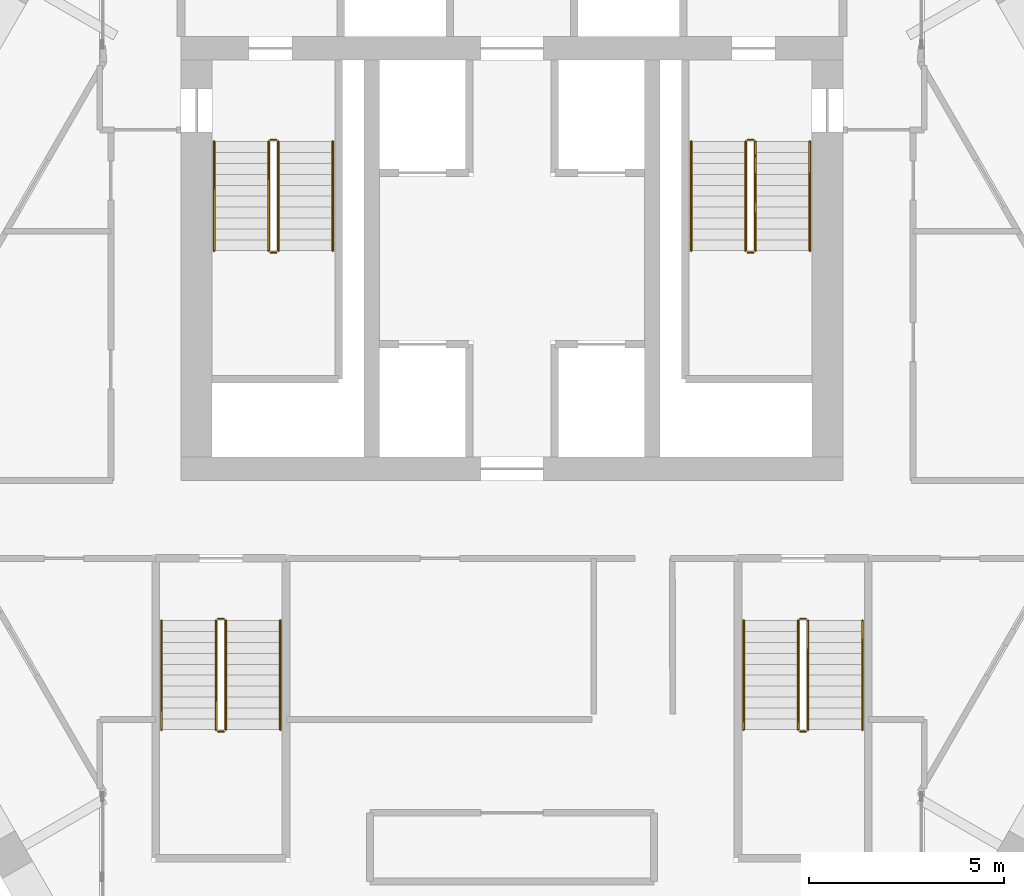
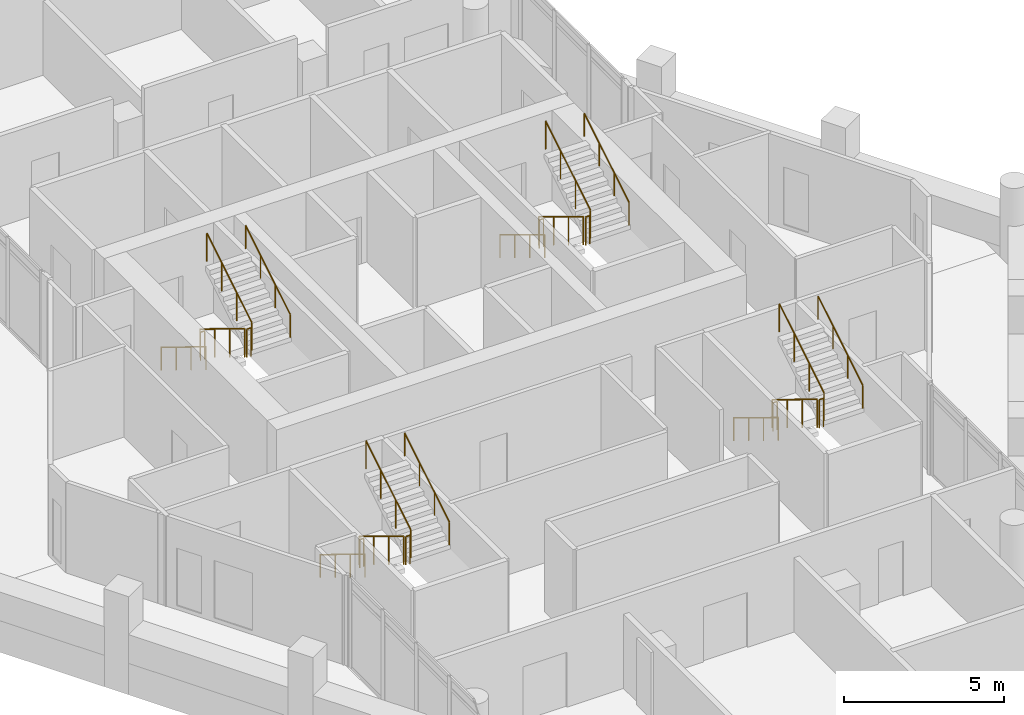
# One storey, part 25 of 25: 24 railings.
"""IFC4 building model written with IfcOpenShell, lengths in metres."""

from ifc_helpers import new_model, si_unit, direction, frame, origin, origin_2d, place, context, subcontext, project, spatial, circle, extrude, material, type_object, element, save


model = new_model("IFC4")

# Units and contexts
model_context = context("Model", 3, precision=1e-05, world=origin(), true_north=direction((0.0, 1.0)))
body_context = subcontext(model_context, "Body", "Model", "MODEL_VIEW")
ifc_project = project(units=[si_unit("LENGTHUNIT", "METRE"), si_unit("AREAUNIT", "SQUARE_METRE"), si_unit("VOLUMEUNIT", "CUBIC_METRE"), si_unit("PLANEANGLEUNIT", "RADIAN"), si_unit("MASSUNIT", "GRAM", prefix="KILO")], contexts=[model_context])

# Site, building, storey
site_placement = place(None, origin())
site = spatial("IfcSite", under=ifc_project, at=site_placement, CompositionType="ELEMENT")
building_placement = place(site_placement, origin())
building = spatial("IfcBuilding", under=site, at=building_placement, Name="Ostrander Bayou Hotel Tower", CompositionType="ELEMENT")
storey_placement = place(building_placement, frame((0.0, 0.0, 229.5)))
storey = spatial("IfcBuildingStorey", under=building, at=storey_placement, Name="L57", CompositionType="ELEMENT", Elevation=229.5)

# Railings
ifc_material_1 = material(Name="Steel ASTM A500 Gr C", Category="steel")
railing_type_1 = type_object("IfcRailingType", Name="GR1 stair guard 1100 mm steel", PredefinedType="GUARDRAIL", material=ifc_material_1)
railing_1_placement = place(storey_placement, frame((-6.25, 7.0, 0.17041015625)))
element("IfcRailing", 1, at=railing_1_placement, inside=storey, type_object=railing_type_1, Name="L57 STA stair guard 1", PredefinedType="GUARDRAIL", context=body_context, shape_type="SweptSolid", body=[
    extrude(circle(Radius=0.02392578125, at=origin_2d()), frame((0.0, 0.0, 1.076171875), z_axis=(0.0, -0.854169791009, 0.51999420009), x_axis=(1.0, 0.0, 0.0)), (0.0, 0.0, 1.0), 3.278076171875),
    extrude(circle(Radius=0.02099609375, at=origin_2d()), origin(), (0.0, 0.0, 1.0), 1.052001953125),
    extrude(circle(Radius=0.02099609375, at=origin_2d()), frame((0.0, -0.933349609375, 0.568115234375)), (0.0, 0.0, 1.0), 1.052001953125),
    extrude(circle(Radius=0.02099609375, at=origin_2d()), frame((0.0, -1.86669921875, 1.136474609375)), (0.0, 0.0, 1.0), 1.052001953125),
    extrude(circle(Radius=0.02099609375, at=origin_2d()), frame((0.0, -2.800048828125, 1.70458984375)), (0.0, 0.0, 1.0), 1.052001953125),
])
railing_2_placement = place(storey_placement, frame((-6.199951171875, 4.14990234375, 1.875)))
element("IfcRailing", 2, at=railing_2_placement, inside=storey, type_object=railing_type_1, Name="L57 STA stair guard 2", PredefinedType="GUARDRAIL", context=body_context, shape_type="SweptSolid", body=[
    extrude(circle(Radius=0.02392578125, at=origin_2d()), frame((0.0, 0.0, 1.076171875), z_axis=(1.0, 0.0, 0.0), x_axis=(0.0, 1.0, 0.0)), (0.0, 0.0, 1.0), 0.14990234375),
    extrude(circle(Radius=0.02099609375, at=origin_2d()), origin(), (0.0, 0.0, 1.0), 1.052001953125),
    extrude(circle(Radius=0.02099609375, at=origin_2d()), frame((0.14990234375, 0.0, 0.0)), (0.0, 0.0, 1.0), 1.052001953125),
])
railing_3_placement = place(storey_placement, frame((-6.0, 4.199951171875, 2.04541015625)))
element("IfcRailing", 3, at=railing_3_placement, inside=storey, type_object=railing_type_1, Name="L57 STA stair guard 3", PredefinedType="GUARDRAIL", context=body_context, shape_type="SweptSolid", body=[
    extrude(circle(Radius=0.02392578125, at=origin_2d()), frame((0.0, 0.0, 1.076171875), z_axis=(0.0, 0.854169791009, 0.51999420009), x_axis=(-1.0, 0.0, 0.0)), (0.0, 0.0, 1.0), 3.278076171875),
    extrude(circle(Radius=0.02099609375, at=origin_2d()), origin(), (0.0, 0.0, 1.0), 1.052001953125),
    extrude(circle(Radius=0.02099609375, at=origin_2d()), frame((0.0, 0.933349609375, 0.568115234375)), (0.0, 0.0, 1.0), 1.052001953125),
    extrude(circle(Radius=0.02099609375, at=origin_2d()), frame((0.0, 1.86669921875, 1.136474609375)), (0.0, 0.0, 1.0), 1.052001953125),
    extrude(circle(Radius=0.02099609375, at=origin_2d()), frame((0.0, 2.800048828125, 1.70458984375)), (0.0, 0.0, 1.0), 1.052001953125),
])
railing_4_placement = place(storey_placement, frame((-6.199951171875, 7.050048828125, 0.0)))
element("IfcRailing", 4, at=railing_4_placement, inside=storey, type_object=railing_type_1, Name="L57 STA stair guard 4", PredefinedType="GUARDRAIL", context=body_context, shape_type="SweptSolid", body=[
    extrude(circle(Radius=0.02392578125, at=origin_2d()), frame((0.0, 0.0, 1.076171875), z_axis=(1.0, 0.0, 0.0), x_axis=(0.0, 1.0, 0.0)), (0.0, 0.0, 1.0), 0.14990234375),
    extrude(circle(Radius=0.02099609375, at=origin_2d()), origin(), (0.0, 0.0, 1.0), 1.052001953125),
    extrude(circle(Radius=0.02099609375, at=origin_2d()), frame((0.14990234375, 0.0, 0.0)), (0.0, 0.0, 1.0), 1.052001953125),
])
railing_5_placement = place(storey_placement, frame((6.0, 7.0, 0.17041015625)))
element("IfcRailing", 5, at=railing_5_placement, inside=storey, type_object=railing_type_1, Name="L57 STB stair guard 1", PredefinedType="GUARDRAIL", context=body_context, shape_type="SweptSolid", body=[
    extrude(circle(Radius=0.02392578125, at=origin_2d()), frame((0.0, 0.0, 1.076171875), z_axis=(0.0, -0.854169791009, 0.51999420009), x_axis=(1.0, 0.0, 0.0)), (0.0, 0.0, 1.0), 3.278076171875),
    extrude(circle(Radius=0.02099609375, at=origin_2d()), origin(), (0.0, 0.0, 1.0), 1.052001953125),
    extrude(circle(Radius=0.02099609375, at=origin_2d()), frame((0.0, -0.933349609375, 0.568115234375)), (0.0, 0.0, 1.0), 1.052001953125),
    extrude(circle(Radius=0.02099609375, at=origin_2d()), frame((0.0, -1.86669921875, 1.136474609375)), (0.0, 0.0, 1.0), 1.052001953125),
    extrude(circle(Radius=0.02099609375, at=origin_2d()), frame((0.0, -2.800048828125, 1.70458984375)), (0.0, 0.0, 1.0), 1.052001953125),
])
railing_6_placement = place(storey_placement, frame((6.050048828125, 4.14990234375, 1.875)))
element("IfcRailing", 6, at=railing_6_placement, inside=storey, type_object=railing_type_1, Name="L57 STB stair guard 2", PredefinedType="GUARDRAIL", context=body_context, shape_type="SweptSolid", body=[
    extrude(circle(Radius=0.02392578125, at=origin_2d()), frame((0.0, 0.0, 1.076171875), z_axis=(1.0, 0.0, 0.0), x_axis=(0.0, 1.0, 0.0)), (0.0, 0.0, 1.0), 0.14990234375),
    extrude(circle(Radius=0.02099609375, at=origin_2d()), origin(), (0.0, 0.0, 1.0), 1.052001953125),
    extrude(circle(Radius=0.02099609375, at=origin_2d()), frame((0.14990234375, 0.0, 0.0)), (0.0, 0.0, 1.0), 1.052001953125),
])
railing_7_placement = place(storey_placement, frame((6.25, 4.199951171875, 2.04541015625)))
element("IfcRailing", 7, at=railing_7_placement, inside=storey, type_object=railing_type_1, Name="L57 STB stair guard 3", PredefinedType="GUARDRAIL", context=body_context, shape_type="SweptSolid", body=[
    extrude(circle(Radius=0.02392578125, at=origin_2d()), frame((0.0, 0.0, 1.076171875), z_axis=(0.0, 0.854169791009, 0.51999420009), x_axis=(-1.0, 0.0, 0.0)), (0.0, 0.0, 1.0), 3.278076171875),
    extrude(circle(Radius=0.02099609375, at=origin_2d()), origin(), (0.0, 0.0, 1.0), 1.052001953125),
    extrude(circle(Radius=0.02099609375, at=origin_2d()), frame((0.0, 0.933349609375, 0.568115234375)), (0.0, 0.0, 1.0), 1.052001953125),
    extrude(circle(Radius=0.02099609375, at=origin_2d()), frame((0.0, 1.86669921875, 1.136474609375)), (0.0, 0.0, 1.0), 1.052001953125),
    extrude(circle(Radius=0.02099609375, at=origin_2d()), frame((0.0, 2.800048828125, 1.70458984375)), (0.0, 0.0, 1.0), 1.052001953125),
])
railing_8_placement = place(storey_placement, frame((6.050048828125, 7.050048828125, 0.0)))
element("IfcRailing", 8, at=railing_8_placement, inside=storey, type_object=railing_type_1, Name="L57 STB stair guard 4", PredefinedType="GUARDRAIL", context=body_context, shape_type="SweptSolid", body=[
    extrude(circle(Radius=0.02392578125, at=origin_2d()), frame((0.0, 0.0, 1.076171875), z_axis=(1.0, 0.0, 0.0), x_axis=(0.0, 1.0, 0.0)), (0.0, 0.0, 1.0), 0.14990234375),
    extrude(circle(Radius=0.02099609375, at=origin_2d()), origin(), (0.0, 0.0, 1.0), 1.052001953125),
    extrude(circle(Radius=0.02099609375, at=origin_2d()), frame((0.14990234375, 0.0, 0.0)), (0.0, 0.0, 1.0), 1.052001953125),
])
railing_9_placement = place(storey_placement, frame((7.35009765625, -5.300048828125, 0.17041015625)))
element("IfcRailing", 9, at=railing_9_placement, inside=storey, type_object=railing_type_1, Name="L57 STC stair guard 1", PredefinedType="GUARDRAIL", context=body_context, shape_type="SweptSolid", body=[
    extrude(circle(Radius=0.02392578125, at=origin_2d()), frame((0.0, 0.0, 1.076171875), z_axis=(0.0, -0.854169791009, 0.51999420009), x_axis=(1.0, 0.0, 0.0)), (0.0, 0.0, 1.0), 3.278076171875),
    extrude(circle(Radius=0.02099609375, at=origin_2d()), origin(), (0.0, 0.0, 1.0), 1.052001953125),
    extrude(circle(Radius=0.02099609375, at=origin_2d()), frame((0.0, -0.933349609375, 0.568115234375)), (0.0, 0.0, 1.0), 1.052001953125),
    extrude(circle(Radius=0.02099609375, at=origin_2d()), frame((0.0, -1.86669921875, 1.136474609375)), (0.0, 0.0, 1.0), 1.052001953125),
    extrude(circle(Radius=0.02099609375, at=origin_2d()), frame((0.0, -2.800048828125, 1.70458984375)), (0.0, 0.0, 1.0), 1.052001953125),
])
railing_10_placement = place(storey_placement, frame((7.39990234375, -8.14990234375, 1.875)))
element("IfcRailing", 10, at=railing_10_placement, inside=storey, type_object=railing_type_1, Name="L57 STC stair guard 2", PredefinedType="GUARDRAIL", context=body_context, shape_type="SweptSolid", body=[
    extrude(circle(Radius=0.02392578125, at=origin_2d()), frame((0.0, 0.0, 1.076171875), z_axis=(1.0, 0.0, 0.0), x_axis=(0.0, 1.0, 0.0)), (0.0, 0.0, 1.0), 0.150146484375),
    extrude(circle(Radius=0.02099609375, at=origin_2d()), origin(), (0.0, 0.0, 1.0), 1.052001953125),
    extrude(circle(Radius=0.02099609375, at=origin_2d()), frame((0.150146484375, 0.0, 0.0)), (0.0, 0.0, 1.0), 1.052001953125),
])
railing_11_placement = place(storey_placement, frame((7.60009765625, -8.10009765625, 2.04541015625)))
element("IfcRailing", 11, at=railing_11_placement, inside=storey, type_object=railing_type_1, Name="L57 STC stair guard 3", PredefinedType="GUARDRAIL", context=body_context, shape_type="SweptSolid", body=[
    extrude(circle(Radius=0.02392578125, at=origin_2d()), frame((0.0, 0.0, 1.076171875), z_axis=(0.0, 0.854169791009, 0.51999420009), x_axis=(-1.0, 0.0, 0.0)), (0.0, 0.0, 1.0), 3.278076171875),
    extrude(circle(Radius=0.02099609375, at=origin_2d()), origin(), (0.0, 0.0, 1.0), 1.052001953125),
    extrude(circle(Radius=0.02099609375, at=origin_2d()), frame((0.0, 0.933349609375, 0.568115234375)), (0.0, 0.0, 1.0), 1.052001953125),
    extrude(circle(Radius=0.02099609375, at=origin_2d()), frame((0.0, 1.86669921875, 1.136474609375)), (0.0, 0.0, 1.0), 1.052001953125),
    extrude(circle(Radius=0.02099609375, at=origin_2d()), frame((0.0, 2.800048828125, 1.70458984375)), (0.0, 0.0, 1.0), 1.052001953125),
])
railing_12_placement = place(storey_placement, frame((7.39990234375, -5.25, 0.0)))
element("IfcRailing", 12, at=railing_12_placement, inside=storey, type_object=railing_type_1, Name="L57 STC stair guard 4", PredefinedType="GUARDRAIL", context=body_context, shape_type="SweptSolid", body=[
    extrude(circle(Radius=0.02392578125, at=origin_2d()), frame((0.0, 0.0, 1.076171875), z_axis=(1.0, 0.0, 0.0), x_axis=(0.0, 1.0, 0.0)), (0.0, 0.0, 1.0), 0.150146484375),
    extrude(circle(Radius=0.02099609375, at=origin_2d()), origin(), (0.0, 0.0, 1.0), 1.052001953125),
    extrude(circle(Radius=0.02099609375, at=origin_2d()), frame((0.150146484375, 0.0, 0.0)), (0.0, 0.0, 1.0), 1.052001953125),
])
railing_13_placement = place(storey_placement, frame((-7.60009765625, -5.300048828125, 0.17041015625)))
element("IfcRailing", 13, at=railing_13_placement, inside=storey, type_object=railing_type_1, Name="L57 STD stair guard 1", PredefinedType="GUARDRAIL", context=body_context, shape_type="SweptSolid", body=[
    extrude(circle(Radius=0.02392578125, at=origin_2d()), frame((0.0, 0.0, 1.076171875), z_axis=(0.0, -0.854169791009, 0.51999420009), x_axis=(1.0, 0.0, 0.0)), (0.0, 0.0, 1.0), 3.278076171875),
    extrude(circle(Radius=0.02099609375, at=origin_2d()), origin(), (0.0, 0.0, 1.0), 1.052001953125),
    extrude(circle(Radius=0.02099609375, at=origin_2d()), frame((0.0, -0.933349609375, 0.568115234375)), (0.0, 0.0, 1.0), 1.052001953125),
    extrude(circle(Radius=0.02099609375, at=origin_2d()), frame((0.0, -1.86669921875, 1.136474609375)), (0.0, 0.0, 1.0), 1.052001953125),
    extrude(circle(Radius=0.02099609375, at=origin_2d()), frame((0.0, -2.800048828125, 1.70458984375)), (0.0, 0.0, 1.0), 1.052001953125),
])
railing_14_placement = place(storey_placement, frame((-7.550048828125, -8.14990234375, 1.875)))
element("IfcRailing", 14, at=railing_14_placement, inside=storey, type_object=railing_type_1, Name="L57 STD stair guard 2", PredefinedType="GUARDRAIL", context=body_context, shape_type="SweptSolid", body=[
    extrude(circle(Radius=0.02392578125, at=origin_2d()), frame((0.0, 0.0, 1.076171875), z_axis=(1.0, 0.0, 0.0), x_axis=(0.0, 1.0, 0.0)), (0.0, 0.0, 1.0), 0.150146484375),
    extrude(circle(Radius=0.02099609375, at=origin_2d()), origin(), (0.0, 0.0, 1.0), 1.052001953125),
    extrude(circle(Radius=0.02099609375, at=origin_2d()), frame((0.150146484375, 0.0, 0.0)), (0.0, 0.0, 1.0), 1.052001953125),
])
railing_15_placement = place(storey_placement, frame((-7.35009765625, -8.10009765625, 2.04541015625)))
element("IfcRailing", 15, at=railing_15_placement, inside=storey, type_object=railing_type_1, Name="L57 STD stair guard 3", PredefinedType="GUARDRAIL", context=body_context, shape_type="SweptSolid", body=[
    extrude(circle(Radius=0.02392578125, at=origin_2d()), frame((0.0, 0.0, 1.076171875), z_axis=(0.0, 0.854169791009, 0.51999420009), x_axis=(-1.0, 0.0, 0.0)), (0.0, 0.0, 1.0), 3.278076171875),
    extrude(circle(Radius=0.02099609375, at=origin_2d()), origin(), (0.0, 0.0, 1.0), 1.052001953125),
    extrude(circle(Radius=0.02099609375, at=origin_2d()), frame((0.0, 0.933349609375, 0.568115234375)), (0.0, 0.0, 1.0), 1.052001953125),
    extrude(circle(Radius=0.02099609375, at=origin_2d()), frame((0.0, 1.86669921875, 1.136474609375)), (0.0, 0.0, 1.0), 1.052001953125),
    extrude(circle(Radius=0.02099609375, at=origin_2d()), frame((0.0, 2.800048828125, 1.70458984375)), (0.0, 0.0, 1.0), 1.052001953125),
])
railing_16_placement = place(storey_placement, frame((-7.550048828125, -5.25, 0.0)))
element("IfcRailing", 16, at=railing_16_placement, inside=storey, type_object=railing_type_1, Name="L57 STD stair guard 4", PredefinedType="GUARDRAIL", context=body_context, shape_type="SweptSolid", body=[
    extrude(circle(Radius=0.02392578125, at=origin_2d()), frame((0.0, 0.0, 1.076171875), z_axis=(1.0, 0.0, 0.0), x_axis=(0.0, 1.0, 0.0)), (0.0, 0.0, 1.0), 0.150146484375),
    extrude(circle(Radius=0.02099609375, at=origin_2d()), origin(), (0.0, 0.0, 1.0), 1.052001953125),
    extrude(circle(Radius=0.02099609375, at=origin_2d()), frame((0.150146484375, 0.0, 0.0)), (0.0, 0.0, 1.0), 1.052001953125),
])
ifc_material_2 = material(Name="Steel ASTM A500 Gr C", Category="steel")
railing_type_2 = type_object("IfcRailingType", Name="HR1 stair handrail 900 mm steel", PredefinedType="HANDRAIL", material=ifc_material_2)
railing_17_placement = place(storey_placement, frame((-7.64990234375, 7.0, 0.17041015625)))
element("IfcRailing", 17, at=railing_17_placement, inside=storey, type_object=railing_type_2, Name="L57 STA stair handrail 1", PredefinedType="HANDRAIL", context=body_context, shape_type="SweptSolid", body=[
    extrude(circle(Radius=0.02392578125, at=origin_2d()), frame((0.0, 0.0, 0.8759765625), z_axis=(0.0, -0.854169791009, 0.51999420009), x_axis=(1.0, 0.0, 0.0)), (0.0, 0.0, 1.0), 3.278076171875),
    extrude(circle(Radius=0.02099609375, at=origin_2d()), origin(), (0.0, 0.0, 1.0), 0.851806640625),
    extrude(circle(Radius=0.02099609375, at=origin_2d()), frame((0.0, -0.933349609375, 0.568115234375)), (0.0, 0.0, 1.0), 0.851806640625),
    extrude(circle(Radius=0.02099609375, at=origin_2d()), frame((0.0, -1.86669921875, 1.136474609375)), (0.0, 0.0, 1.0), 0.851806640625),
    extrude(circle(Radius=0.02099609375, at=origin_2d()), frame((0.0, -2.800048828125, 1.70458984375)), (0.0, 0.0, 1.0), 0.851806640625),
])
railing_18_placement = place(storey_placement, frame((-4.60009765625, 4.199951171875, 2.04541015625)))
element("IfcRailing", 18, at=railing_18_placement, inside=storey, type_object=railing_type_2, Name="L57 STA stair handrail 2", PredefinedType="HANDRAIL", context=body_context, shape_type="SweptSolid", body=[
    extrude(circle(Radius=0.02392578125, at=origin_2d()), frame((0.0, 0.0, 0.8759765625), z_axis=(0.0, 0.854169791009, 0.51999420009), x_axis=(-1.0, 0.0, 0.0)), (0.0, 0.0, 1.0), 3.278076171875),
    extrude(circle(Radius=0.02099609375, at=origin_2d()), origin(), (0.0, 0.0, 1.0), 0.851806640625),
    extrude(circle(Radius=0.02099609375, at=origin_2d()), frame((0.0, 0.933349609375, 0.568115234375)), (0.0, 0.0, 1.0), 0.851806640625),
    extrude(circle(Radius=0.02099609375, at=origin_2d()), frame((0.0, 1.86669921875, 1.136474609375)), (0.0, 0.0, 1.0), 0.851806640625),
    extrude(circle(Radius=0.02099609375, at=origin_2d()), frame((0.0, 2.800048828125, 1.70458984375)), (0.0, 0.0, 1.0), 0.851806640625),
])
railing_19_placement = place(storey_placement, frame((4.60009765625, 7.0, 0.17041015625)))
element("IfcRailing", 19, at=railing_19_placement, inside=storey, type_object=railing_type_2, Name="L57 STB stair handrail 1", PredefinedType="HANDRAIL", context=body_context, shape_type="SweptSolid", body=[
    extrude(circle(Radius=0.02392578125, at=origin_2d()), frame((0.0, 0.0, 0.8759765625), z_axis=(0.0, -0.854169791009, 0.51999420009), x_axis=(1.0, 0.0, 0.0)), (0.0, 0.0, 1.0), 3.278076171875),
    extrude(circle(Radius=0.02099609375, at=origin_2d()), origin(), (0.0, 0.0, 1.0), 0.851806640625),
    extrude(circle(Radius=0.02099609375, at=origin_2d()), frame((0.0, -0.933349609375, 0.568115234375)), (0.0, 0.0, 1.0), 0.851806640625),
    extrude(circle(Radius=0.02099609375, at=origin_2d()), frame((0.0, -1.86669921875, 1.136474609375)), (0.0, 0.0, 1.0), 0.851806640625),
    extrude(circle(Radius=0.02099609375, at=origin_2d()), frame((0.0, -2.800048828125, 1.70458984375)), (0.0, 0.0, 1.0), 0.851806640625),
])
railing_20_placement = place(storey_placement, frame((7.64990234375, 4.199951171875, 2.04541015625)))
element("IfcRailing", 20, at=railing_20_placement, inside=storey, type_object=railing_type_2, Name="L57 STB stair handrail 2", PredefinedType="HANDRAIL", context=body_context, shape_type="SweptSolid", body=[
    extrude(circle(Radius=0.02392578125, at=origin_2d()), frame((0.0, 0.0, 0.8759765625), z_axis=(0.0, 0.854169791009, 0.51999420009), x_axis=(-1.0, 0.0, 0.0)), (0.0, 0.0, 1.0), 3.278076171875),
    extrude(circle(Radius=0.02099609375, at=origin_2d()), origin(), (0.0, 0.0, 1.0), 0.851806640625),
    extrude(circle(Radius=0.02099609375, at=origin_2d()), frame((0.0, 0.933349609375, 0.568115234375)), (0.0, 0.0, 1.0), 0.851806640625),
    extrude(circle(Radius=0.02099609375, at=origin_2d()), frame((0.0, 1.86669921875, 1.136474609375)), (0.0, 0.0, 1.0), 0.851806640625),
    extrude(circle(Radius=0.02099609375, at=origin_2d()), frame((0.0, 2.800048828125, 1.70458984375)), (0.0, 0.0, 1.0), 0.851806640625),
])
railing_21_placement = place(storey_placement, frame((5.949951171875, -5.300048828125, 0.17041015625)))
element("IfcRailing", 21, at=railing_21_placement, inside=storey, type_object=railing_type_2, Name="L57 STC stair handrail 1", PredefinedType="HANDRAIL", context=body_context, shape_type="SweptSolid", body=[
    extrude(circle(Radius=0.02392578125, at=origin_2d()), frame((0.0, 0.0, 0.8759765625), z_axis=(0.0, -0.854169791009, 0.51999420009), x_axis=(1.0, 0.0, 0.0)), (0.0, 0.0, 1.0), 3.278076171875),
    extrude(circle(Radius=0.02099609375, at=origin_2d()), origin(), (0.0, 0.0, 1.0), 0.851806640625),
    extrude(circle(Radius=0.02099609375, at=origin_2d()), frame((0.0, -0.933349609375, 0.568115234375)), (0.0, 0.0, 1.0), 0.851806640625),
    extrude(circle(Radius=0.02099609375, at=origin_2d()), frame((0.0, -1.86669921875, 1.136474609375)), (0.0, 0.0, 1.0), 0.851806640625),
    extrude(circle(Radius=0.02099609375, at=origin_2d()), frame((0.0, -2.800048828125, 1.70458984375)), (0.0, 0.0, 1.0), 0.851806640625),
])
railing_22_placement = place(storey_placement, frame((9.0, -8.10009765625, 2.04541015625)))
element("IfcRailing", 22, at=railing_22_placement, inside=storey, type_object=railing_type_2, Name="L57 STC stair handrail 2", PredefinedType="HANDRAIL", context=body_context, shape_type="SweptSolid", body=[
    extrude(circle(Radius=0.02392578125, at=origin_2d()), frame((0.0, 0.0, 0.8759765625), z_axis=(0.0, 0.854169791009, 0.51999420009), x_axis=(-1.0, 0.0, 0.0)), (0.0, 0.0, 1.0), 3.278076171875),
    extrude(circle(Radius=0.02099609375, at=origin_2d()), origin(), (0.0, 0.0, 1.0), 0.851806640625),
    extrude(circle(Radius=0.02099609375, at=origin_2d()), frame((0.0, 0.933349609375, 0.568115234375)), (0.0, 0.0, 1.0), 0.851806640625),
    extrude(circle(Radius=0.02099609375, at=origin_2d()), frame((0.0, 1.86669921875, 1.136474609375)), (0.0, 0.0, 1.0), 0.851806640625),
    extrude(circle(Radius=0.02099609375, at=origin_2d()), frame((0.0, 2.800048828125, 1.70458984375)), (0.0, 0.0, 1.0), 0.851806640625),
])
railing_23_placement = place(storey_placement, frame((-9.0, -5.300048828125, 0.17041015625)))
element("IfcRailing", 23, at=railing_23_placement, inside=storey, type_object=railing_type_2, Name="L57 STD stair handrail 1", PredefinedType="HANDRAIL", context=body_context, shape_type="SweptSolid", body=[
    extrude(circle(Radius=0.02392578125, at=origin_2d()), frame((0.0, 0.0, 0.8759765625), z_axis=(0.0, -0.854169791009, 0.51999420009), x_axis=(1.0, 0.0, 0.0)), (0.0, 0.0, 1.0), 3.278076171875),
    extrude(circle(Radius=0.02099609375, at=origin_2d()), origin(), (0.0, 0.0, 1.0), 0.851806640625),
    extrude(circle(Radius=0.02099609375, at=origin_2d()), frame((0.0, -0.933349609375, 0.568115234375)), (0.0, 0.0, 1.0), 0.851806640625),
    extrude(circle(Radius=0.02099609375, at=origin_2d()), frame((0.0, -1.86669921875, 1.136474609375)), (0.0, 0.0, 1.0), 0.851806640625),
    extrude(circle(Radius=0.02099609375, at=origin_2d()), frame((0.0, -2.800048828125, 1.70458984375)), (0.0, 0.0, 1.0), 0.851806640625),
])
railing_24_placement = place(storey_placement, frame((-5.949951171875, -8.10009765625, 2.04541015625)))
element("IfcRailing", 24, at=railing_24_placement, inside=storey, type_object=railing_type_2, Name="L57 STD stair handrail 2", PredefinedType="HANDRAIL", context=body_context, shape_type="SweptSolid", body=[
    extrude(circle(Radius=0.02392578125, at=origin_2d()), frame((0.0, 0.0, 0.8759765625), z_axis=(0.0, 0.854169791009, 0.51999420009), x_axis=(-1.0, 0.0, 0.0)), (0.0, 0.0, 1.0), 3.278076171875),
    extrude(circle(Radius=0.02099609375, at=origin_2d()), origin(), (0.0, 0.0, 1.0), 0.851806640625),
    extrude(circle(Radius=0.02099609375, at=origin_2d()), frame((0.0, 0.933349609375, 0.568115234375)), (0.0, 0.0, 1.0), 0.851806640625),
    extrude(circle(Radius=0.02099609375, at=origin_2d()), frame((0.0, 1.86669921875, 1.136474609375)), (0.0, 0.0, 1.0), 0.851806640625),
    extrude(circle(Radius=0.02099609375, at=origin_2d()), frame((0.0, 2.800048828125, 1.70458984375)), (0.0, 0.0, 1.0), 0.851806640625),
])

save(model, "model.ifc")
